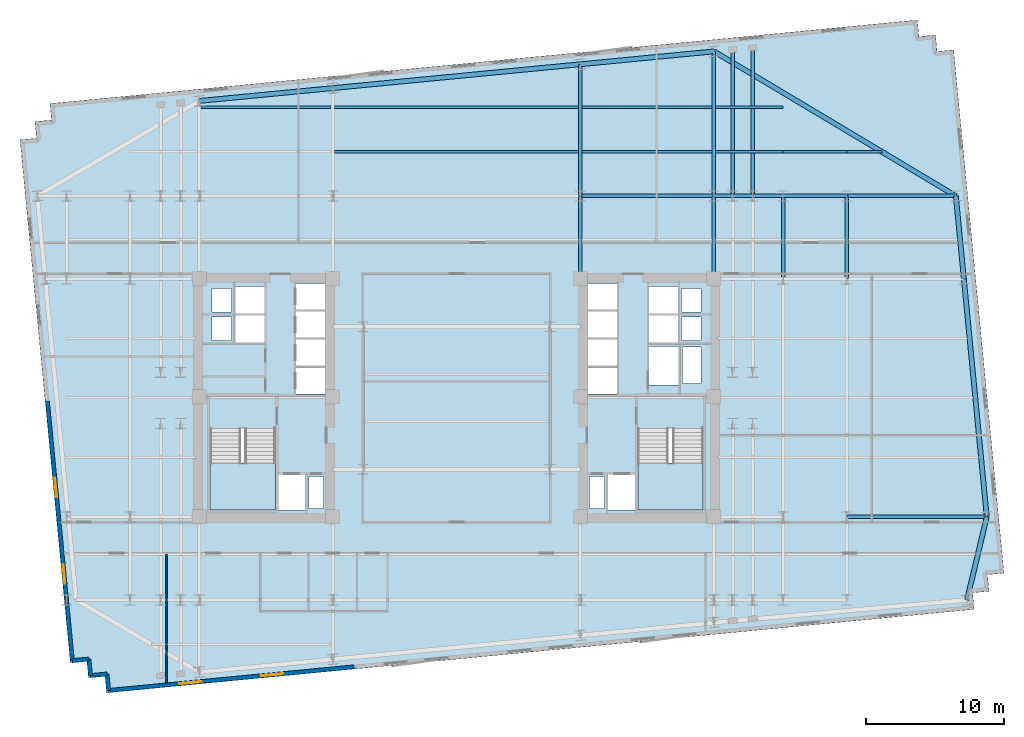
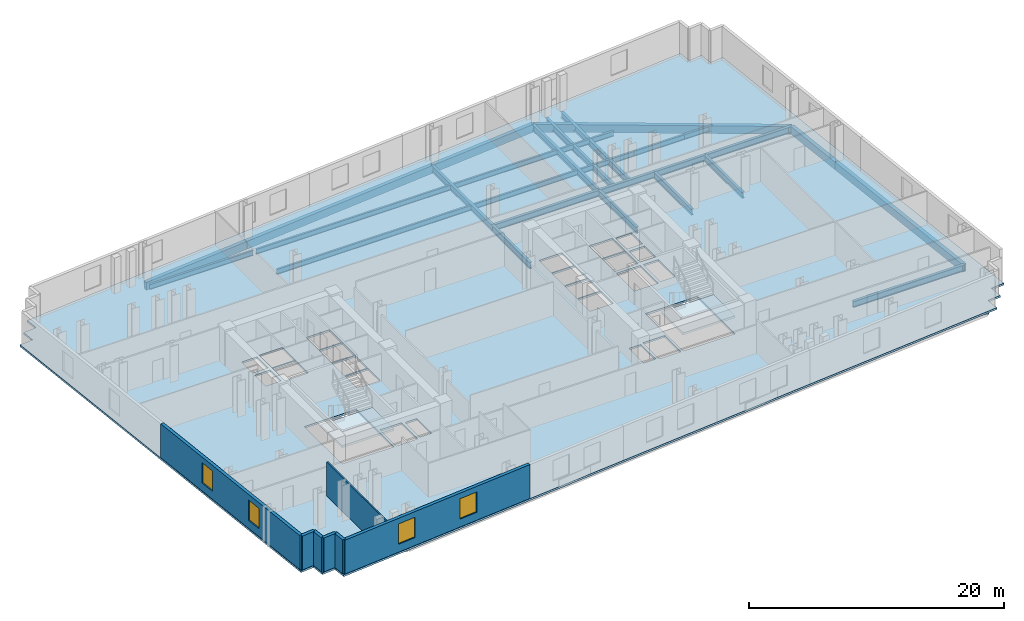
# One storey, part 3 of 10: 29 beams, 7 walls, 4 windows, 3 slabs, 4 openings, 2 elements without a shape of their own.
"""IFC4 building model written with IfcOpenShell, lengths in metres."""

from ifc_helpers import new_model, si_unit, direction, frame, frame_2d, origin, origin_2d, place, context, subcontext, project, spatial, polyline, rectangle, i_section, outline, extrude, material, layer, layer_set, material_profile, profile_set, type_object, element, fill, aggregate, save


model = new_model("IFC4")

# Units and contexts
model_context = context("Model", 3, precision=1e-05, world=origin(), true_north=direction((0.0, 1.0)))
body_context = subcontext(model_context, "Body", "Model", "MODEL_VIEW")
ifc_project = project(units=[si_unit("LENGTHUNIT", "METRE"), si_unit("AREAUNIT", "SQUARE_METRE"), si_unit("VOLUMEUNIT", "CUBIC_METRE"), si_unit("PLANEANGLEUNIT", "RADIAN"), si_unit("MASSUNIT", "GRAM", prefix="KILO")], contexts=[model_context])

# Site, building, storey
site_placement = place(None, origin())
site = spatial("IfcSite", under=ifc_project, at=site_placement, CompositionType="ELEMENT")
building_placement = place(site_placement, origin())
building = spatial("IfcBuilding", under=site, at=building_placement, Name="Velakula Bourse", CompositionType="ELEMENT")
storey_placement = place(building_placement, frame((0.0, 0.0, 77.64990234375)))
storey = spatial("IfcBuildingStorey", under=building, at=storey_placement, Name="L20", CompositionType="ELEMENT", Elevation=77.64990234375)

# Beams
ifc_material_1 = material(Name="Steel IS 2062 Grade 350 (E350)", Category="steel")
ifc_material_profile_1 = material_profile(ifc_material_1, i_section(OverallWidth=0.25, OverallDepth=0.60009765625, WebThickness=0.01171875, FlangeThickness=0.023681640625, at=origin_2d()), Name="Steel IS 2062 Grade 350 (E350)")
ifc_profile_set_1 = profile_set([ifc_material_profile_1], Name="Steel IS 2062 Grade 350 (E350)")
beam_type_1 = type_object("IfcBeamType", Name="BM-GRD-600H", PredefinedType="BEAM", material=ifc_profile_set_1)
for number, where, z_axis, x_axis, name in (
    (1, (8.949951171875, 8.60009765625, -0.47998046875), (0.0, 1.0, 0.0), (-1.0, 0.0, 0.0), "L20 Fulcrum Grid Girder FLC-ECN"),
    (2, (18.60009765625, 8.60009765625, -0.47998046875), (0.0, 1.0, 0.0), (-1.0, 0.0, 0.0), "L20 Fulcrum Grid Girder FLC-EN"),
):
    element("IfcBeam", number, at=place(storey_placement, frame(where, z_axis=z_axis, x_axis=x_axis)), inside=storey, type_object=beam_type_1, Name=name, PredefinedType="BEAM", context=body_context, shape_type="SweptSolid", body=[
        extrude(i_section(OverallWidth=0.25, OverallDepth=0.60009765625, WebThickness=0.01171875, FlangeThickness=0.023681640625, at=origin_2d()), origin(), (0.0, 0.0, 1.0), 6.0),
    ])
beam_1_placement = place(storey_placement, frame((8.949951171875, 14.60009765625, -0.47998046875), z_axis=(1.0, 0.0, 0.0), x_axis=(0.0, 1.0, 0.0)))
element("IfcBeam", 3, at=beam_1_placement, inside=storey, type_object=beam_type_1, Name="L20 Fulcrum Grid Girder FLC-N3", PredefinedType="BEAM", context=body_context, shape_type="SweptSolid", body=[
    extrude(i_section(OverallWidth=0.25, OverallDepth=0.60009765625, WebThickness=0.01171875, FlangeThickness=0.023681640625, at=origin_2d()), origin(), (0.0, 0.0, 1.0), 9.650146484375),
])
beam_2_placement = place(storey_placement, frame((18.60009765625, 14.60009765625, -0.47998046875), z_axis=(1.0, 0.0, 0.0), x_axis=(0.0, 1.0, 0.0)))
element("IfcBeam", 4, at=beam_2_placement, inside=storey, type_object=beam_type_1, Name="L20 Fulcrum Grid Girder MWG-EN2", PredefinedType="BEAM", context=body_context, shape_type="SweptSolid", body=[
    extrude(i_section(OverallWidth=0.25, OverallDepth=0.60009765625, WebThickness=0.01171875, FlangeThickness=0.023681640625, at=origin_2d()), origin(), (0.0, 0.0, 1.0), 5.0),
])
beam_3_placement = place(storey_placement, frame((23.60009765625, 8.60009765625, -0.47998046875), z_axis=(0.0, 1.0, 0.0), x_axis=(-1.0, 0.0, 0.0)))
element("IfcBeam", 5, at=beam_3_placement, inside=storey, type_object=beam_type_1, Name="L20 Fulcrum Grid Girder MWG-ENS3", PredefinedType="BEAM", context=body_context, shape_type="SweptSolid", body=[
    extrude(i_section(OverallWidth=0.25, OverallDepth=0.60009765625, WebThickness=0.01171875, FlangeThickness=0.023681640625, at=origin_2d()), origin(), (0.0, 0.0, 1.0), 6.0),
])
beam_4_placement = place(storey_placement, frame((23.60009765625, 14.60009765625, -0.47998046875), z_axis=(1.0, 0.0, 0.0), x_axis=(0.0, 1.0, 0.0)))
element("IfcBeam", 6, at=beam_4_placement, inside=storey, type_object=beam_type_1, Name="L20 Fulcrum Grid Girder WNG-EN2", PredefinedType="BEAM", context=body_context, shape_type="SweptSolid", body=[
    extrude(i_section(OverallWidth=0.25, OverallDepth=0.60009765625, WebThickness=0.01171875, FlangeThickness=0.023681640625, at=origin_2d()), origin(), (0.0, 0.0, 1.0), 4.599853515625),
])
beam_5_placement = place(storey_placement, frame((28.199951171875, 8.60009765625, -0.47998046875), z_axis=(0.0, 1.0, 0.0), x_axis=(-1.0, 0.0, 0.0)))
element("IfcBeam", 7, at=beam_5_placement, inside=storey, type_object=beam_type_1, Name="L20 Fulcrum Grid Girder WNG-ENS3", PredefinedType="BEAM", context=body_context, shape_type="SweptSolid", body=[
    extrude(i_section(OverallWidth=0.25, OverallDepth=0.60009765625, WebThickness=0.01171875, FlangeThickness=0.023681640625, at=origin_2d()), origin(), (0.0, 0.0, 1.0), 6.0),
])
beam_6_placement = place(storey_placement, frame((8.949951171875, 14.60009765625, -0.47998046875), z_axis=(0.0, 1.0, 0.0), x_axis=(-1.0, 0.0, 0.0)))
element("IfcBeam", 8, at=beam_6_placement, inside=storey, type_object=beam_type_1, Name="L20 Perimeter Tie Girder N3", PredefinedType="BEAM", context=body_context, shape_type="SweptSolid", body=[
    extrude(i_section(OverallWidth=0.25, OverallDepth=0.60009765625, WebThickness=0.01171875, FlangeThickness=0.023681640625, at=origin_2d()), origin(), (0.0, 0.0, 1.0), 9.521484375),
])
beam_7_placement = place(storey_placement, frame((18.60009765625, 14.60009765625, -0.47998046875), z_axis=(0.0, 1.0, 0.0), x_axis=(-1.0, 0.0, 0.0)))
element("IfcBeam", 9, at=beam_7_placement, inside=storey, type_object=beam_type_1, Name="L20 Perimeter Tie Girder N4", PredefinedType="BEAM", context=body_context, shape_type="SweptSolid", body=[
    extrude(i_section(OverallWidth=0.25, OverallDepth=0.60009765625, WebThickness=0.01171875, FlangeThickness=0.023681640625, at=origin_2d()), origin(), (0.0, 0.0, 1.0), 10.45068359375),
])
beam_8_placement = place(storey_placement, frame((28.199951171875, -8.60009765625, -0.47998046875), z_axis=(1.0, 0.0, 0.0), x_axis=(0.0, 1.0, 0.0)))
element("IfcBeam", 10, at=beam_8_placement, inside=storey, type_object=beam_type_1, Name="L20 Perimeter Tie Girder E2", PredefinedType="BEAM", context=body_context, shape_type="SweptSolid", body=[
    extrude(i_section(OverallWidth=0.25, OverallDepth=0.60009765625, WebThickness=0.01171875, FlangeThickness=0.023681640625, at=origin_2d()), origin(), (0.0, 0.0, 1.0), 10.119873046875),
])
beam_9_placement = place(storey_placement, frame((28.199951171875, 14.60009765625, -0.47998046875), z_axis=(1.0, 0.0, 0.0), x_axis=(0.0, 1.0, 0.0)))
element("IfcBeam", 11, at=beam_9_placement, inside=storey, type_object=beam_type_1, Name="L20 Perimeter Tie Girder E4", PredefinedType="BEAM", context=body_context, shape_type="SweptSolid", body=[
    extrude(i_section(OverallWidth=0.25, OverallDepth=0.60009765625, WebThickness=0.01171875, FlangeThickness=0.023681640625, at=origin_2d()), origin(), (0.0, 0.0, 1.0), 7.885986328125),
])
beam_10_placement = place(storey_placement, frame((19.949951171875, 14.60009765625, -0.47998046875), z_axis=(0.0, 1.0, 0.0), x_axis=(-1.0, 0.0, 0.0)))
element("IfcBeam", 12, at=beam_10_placement, inside=storey, type_object=beam_type_1, Name="L20 Perimeter Tie Girder P07", PredefinedType="BEAM", context=body_context, shape_type="SweptSolid", body=[
    extrude(i_section(OverallWidth=0.25, OverallDepth=0.60009765625, WebThickness=0.01171875, FlangeThickness=0.023681640625, at=origin_2d()), origin(), (0.0, 0.0, 1.0), 10.580810546875),
])
beam_11_placement = place(storey_placement, frame((21.39990234375, 14.60009765625, -0.47998046875), z_axis=(0.0, 1.0, 0.0), x_axis=(-1.0, 0.0, 0.0)))
element("IfcBeam", 13, at=beam_11_placement, inside=storey, type_object=beam_type_1, Name="L20 Perimeter Tie Girder P08", PredefinedType="BEAM", context=body_context, shape_type="SweptSolid", body=[
    extrude(i_section(OverallWidth=0.25, OverallDepth=0.60009765625, WebThickness=0.01171875, FlangeThickness=0.023681640625, at=origin_2d()), origin(), (0.0, 0.0, 1.0), 10.720458984375),
])
ifc_material_profile_2 = material_profile(ifc_material_1, i_section(OverallWidth=0.179931640625, OverallDepth=0.5, WebThickness=0.01025390625, FlangeThickness=0.01708984375, at=origin_2d()), Name="Steel IS 2062 Grade 350 (E350)")
ifc_profile_set_2 = profile_set([ifc_material_profile_2], Name="Steel IS 2062 Grade 350 (E350)")
beam_type_2 = type_object("IfcBeamType", Name="JST-TWR-500", PredefinedType="JOIST", material=ifc_profile_set_2)
beam_12_placement = place(storey_placement, frame((-8.824951171875, 17.800048828125, -0.429931640625), z_axis=(1.0, 0.0, 0.0), x_axis=(0.0, 1.0, 0.0)))
element("IfcBeam", 14, at=beam_12_placement, inside=storey, type_object=beam_type_2, Name="L20 Trading Floor Composite Joist 22", PredefinedType="JOIST", context=body_context, shape_type="SweptSolid", body=[
    extrude(i_section(OverallWidth=0.179931640625, OverallDepth=0.5, WebThickness=0.01025390625, FlangeThickness=0.01708984375, at=origin_2d()), origin(), (0.0, 0.0, 1.0), 17.64990234375),
])
beam_13_placement = place(storey_placement, frame((9.074951171875, 17.800048828125, -0.429931640625), z_axis=(1.0, 0.0, 0.0), x_axis=(0.0, 1.0, 0.0)))
element("IfcBeam", 15, at=beam_13_placement, inside=storey, type_object=beam_type_2, Name="L20 Trading Floor Composite Joist 23", PredefinedType="JOIST", context=body_context, shape_type="SweptSolid", body=[
    extrude(i_section(OverallWidth=0.179931640625, OverallDepth=0.5, WebThickness=0.01025390625, FlangeThickness=0.01708984375, at=origin_2d()), origin(), (0.0, 0.0, 1.0), 9.400146484375),
])
beam_14_placement = place(storey_placement, frame((18.72509765625, 17.800048828125, -0.429931640625), z_axis=(1.0, 0.0, 0.0), x_axis=(0.0, 1.0, 0.0)))
element("IfcBeam", 16, at=beam_14_placement, inside=storey, type_object=beam_type_2, Name="L20 Trading Floor Composite Joist 24", PredefinedType="JOIST", context=body_context, shape_type="SweptSolid", body=[
    extrude(i_section(OverallWidth=0.179931640625, OverallDepth=0.5, WebThickness=0.01025390625, FlangeThickness=0.01708984375, at=origin_2d()), origin(), (0.0, 0.0, 1.0), 4.875),
])
beam_15_placement = place(storey_placement, frame((23.60009765625, 17.800048828125, -0.429931640625), z_axis=(1.0, 0.0, 0.0), x_axis=(0.0, 1.0, 0.0)))
element("IfcBeam", 17, at=beam_15_placement, inside=storey, type_object=beam_type_2, Name="L20 Trading Floor Composite Joist 25", PredefinedType="JOIST", context=body_context, shape_type="SweptSolid", body=[
    extrude(i_section(OverallWidth=0.179931640625, OverallDepth=0.5, WebThickness=0.01025390625, FlangeThickness=0.01708984375, at=origin_2d()), origin(), (0.0, 0.0, 1.0), 4.599853515625),
])
beam_16_placement = place(storey_placement, frame((28.199951171875, 17.800048828125, -0.429931640625), z_axis=(1.0, 0.0, 0.0), x_axis=(0.0, 1.0, 0.0)))
element("IfcBeam", 18, at=beam_16_placement, inside=storey, type_object=beam_type_2, Name="L20 Trading Floor Composite Joist 26", PredefinedType="JOIST", context=body_context, shape_type="SweptSolid", body=[
    extrude(i_section(OverallWidth=0.179931640625, OverallDepth=0.5, WebThickness=0.01025390625, FlangeThickness=0.01708984375, at=origin_2d()), origin(), (0.0, 0.0, 1.0), 2.53173828125),
])
beam_17_placement = place(storey_placement, frame((-18.47509765625, 21.0, -0.429931640625), z_axis=(1.0, 0.0, 0.0), x_axis=(0.0, 1.0, 0.0)))
element("IfcBeam", 19, at=beam_17_placement, inside=storey, type_object=beam_type_2, Name="L20 Trading Floor Composite Joist 27", PredefinedType="JOIST", context=body_context, shape_type="SweptSolid", body=[
    extrude(i_section(OverallWidth=0.179931640625, OverallDepth=0.5, WebThickness=0.01025390625, FlangeThickness=0.01708984375, at=origin_2d()), origin(), (0.0, 0.0, 1.0), 9.400146484375),
])
beam_18_placement = place(storey_placement, frame((-8.824951171875, 21.0, -0.429931640625), z_axis=(1.0, 0.0, 0.0), x_axis=(0.0, 1.0, 0.0)))
element("IfcBeam", 20, at=beam_18_placement, inside=storey, type_object=beam_type_2, Name="L20 Trading Floor Composite Joist 28", PredefinedType="JOIST", context=body_context, shape_type="SweptSolid", body=[
    extrude(i_section(OverallWidth=0.179931640625, OverallDepth=0.5, WebThickness=0.01025390625, FlangeThickness=0.01708984375, at=origin_2d()), origin(), (0.0, 0.0, 1.0), 17.64990234375),
])
beam_19_placement = place(storey_placement, frame((9.074951171875, 21.0, -0.429931640625), z_axis=(1.0, 0.0, 0.0), x_axis=(0.0, 1.0, 0.0)))
element("IfcBeam", 21, at=beam_19_placement, inside=storey, type_object=beam_type_2, Name="L20 Trading Floor Composite Joist 29", PredefinedType="JOIST", context=body_context, shape_type="SweptSolid", body=[
    extrude(i_section(OverallWidth=0.179931640625, OverallDepth=0.5, WebThickness=0.01025390625, FlangeThickness=0.01708984375, at=origin_2d()), origin(), (0.0, 0.0, 1.0), 9.400146484375),
])
beam_20_placement = place(storey_placement, frame((18.72509765625, 21.0, -0.429931640625), z_axis=(1.0, 0.0, 0.0), x_axis=(0.0, 1.0, 0.0)))
element("IfcBeam", 22, at=beam_20_placement, inside=storey, type_object=beam_type_2, Name="L20 Trading Floor Composite Joist 30", PredefinedType="JOIST", context=body_context, shape_type="SweptSolid", body=[
    extrude(i_section(OverallWidth=0.179931640625, OverallDepth=0.5, WebThickness=0.01025390625, FlangeThickness=0.01708984375, at=origin_2d()), origin(), (0.0, 0.0, 1.0), 4.875),
])
ifc_material_2 = material(Name="Precast concrete M45 (fck 45 MPa)", Category="concrete")
ifc_material_profile_3 = material_profile(ifc_material_2, rectangle(XDim=0.35009765625, YDim=0.75, at=origin_2d()), Name="Precast concrete M45 (fck 45 MPa)")
ifc_profile_set_3 = profile_set([ifc_material_profile_3], Name="Precast concrete M45 (fck 45 MPa)")
beam_type_3 = type_object("IfcBeamType", Name="SPN-BRICK-750", PredefinedType="SPANDREL", material=ifc_profile_set_3)
beam_21_placement = place(storey_placement, frame((-18.60009765625, 21.468994140625, -0.554931640625), z_axis=(0.99539623971, 0.095845323155, 0.0), x_axis=(-0.095845323155, 0.99539623971, 0.0)))
element("IfcBeam", 23, at=beam_21_placement, inside=storey, type_object=beam_type_3, Name="L20 Brick-Faced Precast Spandrel N1-N2", PredefinedType="SPANDREL", context=body_context, shape_type="SweptSolid", body=[
    extrude(rectangle(XDim=0.35009765625, YDim=0.75, at=origin_2d()), origin(), (0.0, 0.0, 1.0), 9.69482421875),
])
beam_22_placement = place(storey_placement, frame((-8.949951171875, 22.398193359375, -0.554931640625), z_axis=(0.995397131467, 0.095836061418, 0.0), x_axis=(-0.095836061418, 0.995397131467, 0.0)))
element("IfcBeam", 24, at=beam_22_placement, inside=storey, type_object=beam_type_3, Name="L20 Brick-Faced Precast Spandrel N2-N3", PredefinedType="SPANDREL", context=body_context, shape_type="SweptSolid", body=[
    extrude(rectangle(XDim=0.35009765625, YDim=0.75, at=origin_2d()), origin(), (0.0, 0.0, 1.0), 17.982666015625),
])
beam_23_placement = place(storey_placement, frame((8.949951171875, 24.12158203125, -0.554931640625), z_axis=(0.99539623971, 0.095845323155, 0.0), x_axis=(-0.095845323155, 0.99539623971, 0.0)))
element("IfcBeam", 25, at=beam_23_placement, inside=storey, type_object=beam_type_3, Name="L20 Brick-Faced Precast Spandrel N3-N4", PredefinedType="SPANDREL", context=body_context, shape_type="SweptSolid", body=[
    extrude(rectangle(XDim=0.35009765625, YDim=0.75, at=origin_2d()), origin(), (0.0, 0.0, 1.0), 9.69482421875),
])
beam_24_placement = place(storey_placement, frame((36.88818359375, -14.60009765625, -0.554931640625), z_axis=(0.232091371601, 0.972693988482, 0.0), x_axis=(-0.972693988482, 0.232091371601, 0.0)))
element("IfcBeam", 26, at=beam_24_placement, inside=storey, type_object=beam_type_3, Name="L20 Brick-Faced Precast Spandrel E1-E2", PredefinedType="SPANDREL", context=body_context, shape_type="SweptSolid", body=[
    extrude(rectangle(XDim=0.35009765625, YDim=0.75, at=origin_2d()), origin(), (0.0, 0.0, 1.0), 6.16845703125),
])
beam_25_placement = place(storey_placement, frame((38.31982421875, -8.60009765625, -0.554931640625), z_axis=(-0.095849167925, 0.995395869495, 0.0), x_axis=(-0.995395869495, -0.095849167925, 0.0)))
element("IfcBeam", 27, at=beam_25_placement, inside=storey, type_object=beam_type_3, Name="L20 Brick-Faced Precast Spandrel E2-E3", PredefinedType="SPANDREL", context=body_context, shape_type="SweptSolid", body=[
    extrude(rectangle(XDim=0.35009765625, YDim=0.75, at=origin_2d()), origin(), (0.0, 0.0, 1.0), 17.27978515625),
])
beam_26_placement = place(storey_placement, frame((36.66357421875, 8.60009765625, -0.554931640625), z_axis=(-0.095829714309, 0.995397742541, 0.0), x_axis=(-0.995397742541, -0.095829714309, 0.0)))
element("IfcBeam", 28, at=beam_26_placement, inside=storey, type_object=beam_type_3, Name="L20 Brick-Faced Precast Spandrel E3-E4", PredefinedType="SPANDREL", context=body_context, shape_type="SweptSolid", body=[
    extrude(rectangle(XDim=0.35009765625, YDim=0.75, at=origin_2d()), origin(), (0.0, 0.0, 1.0), 6.02783203125),
])
beam_27_placement = place(storey_placement, frame((36.0859375, 14.60009765625, -0.554931640625), z_axis=(-0.858375715449, 0.513021569846, 0.0), x_axis=(-0.513021569846, -0.858375715449, 0.0)))
element("IfcBeam", 29, at=beam_27_placement, inside=storey, type_object=beam_type_3, Name="L20 Brick-Faced Precast Spandrel E4-N4", PredefinedType="SPANDREL", context=body_context, shape_type="SweptSolid", body=[
    extrude(rectangle(XDim=0.35009765625, YDim=0.75, at=origin_2d()), origin(), (0.0, 0.0, 1.0), 20.370849609375),
])

# Stair, slab
ifc_material_3 = material(Name="Concrete M45 (fck 45 MPa)", Category="concrete")
stair_type = type_object("IfcStairType", Name="STR-DOG-390", PredefinedType="HALF_TURN_STAIR", material=ifc_material_3)
stair_1_placement = place(storey_placement, origin())
stair_1 = element("IfcStair", 30, at=stair_1_placement, inside=storey, type_object=stair_type, Name="L20 West Core Exit Stair ST-W1", PredefinedType="HALF_TURN_STAIR")
ifc_layer_1 = layer(ifc_material_3, 0.199951171875, Name="Concrete M45 (fck 45 MPa)", Category="concrete")
ifc_layer_set_1 = layer_set([ifc_layer_1], Name="Concrete M45 (fck 45 MPa)")
slab_type_1 = type_object("IfcSlabType", Name="SLB-STAIR-LND-200", PredefinedType="LANDING", material=ifc_layer_set_1)
slab_1_placement = place(storey_placement, frame((0.0, 0.0, 1.525146484375)))
slab_1 = element("IfcSlab", 31, at=slab_1_placement, type_object=slab_type_1, Name="ST-W1 landing 1", PredefinedType="LANDING", context=body_context, shape_type="SweptSolid", body=[
    extrude(outline(polyline([(-17.820068359375, -4.719970703125), (-17.820068359375, -8.10009765625), (-13.10009765625, -8.10009765625), (-13.10009765625, -4.719970703125), (-17.820068359375, -4.719970703125)])), origin(), (0.0, 0.0, 1.0), 0.199951171875),
])
aggregate(stair_1, [slab_1])

stair_2_placement = place(storey_placement, origin())
stair_2 = element("IfcStair", 32, at=stair_2_placement, inside=storey, type_object=stair_type, Name="L20 East Core Exit Stair ST-E1", PredefinedType="HALF_TURN_STAIR")
slab_2_placement = place(storey_placement, frame((0.0, 0.0, 1.525146484375)))
slab_2 = element("IfcSlab", 33, at=slab_2_placement, type_object=slab_type_1, Name="ST-E1 landing 1", PredefinedType="LANDING", context=body_context, shape_type="SweptSolid", body=[
    extrude(outline(polyline([(13.10009765625, -4.719970703125), (13.10009765625, -8.10009765625), (17.820068359375, -8.10009765625), (17.820068359375, -4.719970703125), (13.10009765625, -4.719970703125)])), origin(), (0.0, 0.0, 1.0), 0.199951171875),
])
aggregate(stair_2, [slab_2])

# Slab
ifc_material_4 = material(Name="Concrete M50 (fck 50 MPa)", Category="concrete")
ifc_layer_2 = layer(ifc_material_4, 0.179931640625, Name="Concrete M50 (fck 50 MPa)", Category="concrete")
ifc_layer_set_2 = layer_set([ifc_layer_2], Name="Concrete M50 (fck 50 MPa)")
slab_type_2 = type_object("IfcSlabType", Name="SLB-TWR-180", PredefinedType="FLOOR", material=ifc_layer_set_2)
slab_3_placement = place(storey_placement, frame((0.0, 0.0, -0.179931640625)))
element("IfcSlab", 34, at=slab_3_placement, inside=storey, type_object=slab_type_2, Name="L20 Suspended Structural Floor Slab", PredefinedType="FLOOR", context=body_context, shape_type="SweptSolid", body=[
    extrude(outline(polyline([(-25.303955078125, -21.320556640625), (37.406005859375, -15.2822265625), (37.291015625, -14.087890625), (38.485595703125, -13.972900390625), (38.37060546875, -12.7783203125), (39.56494140625, -12.663330078125), (35.9228515625, 25.16162109375), (34.728271484375, 25.046630859375), (34.61328125, 26.2412109375), (33.4189453125, 26.126220703125), (33.303955078125, 27.320556640625), (-29.406005859375, 21.2822265625), (-29.291015625, 20.087890625), (-30.485595703125, 19.972900390625), (-30.37060546875, 18.7783203125), (-31.56494140625, 18.663330078125), (-27.9228515625, -19.16162109375), (-26.728271484375, -19.046630859375), (-26.61328125, -20.2412109375), (-25.4189453125, -20.126220703125), (-25.303955078125, -21.320556640625)]), holes=[polyline([(-17.820068359375, -8.10009765625), (-13.10009765625, -8.10009765625), (-13.10009765625, -2.199951171875), (-17.820068359375, -2.199951171875), (-17.820068359375, -8.10009765625)]), polyline([(13.10009765625, -8.10009765625), (17.820068359375, -8.10009765625), (17.820068359375, -2.199951171875), (13.10009765625, -2.199951171875), (13.10009765625, -8.10009765625)]), polyline([(-12.89990234375, -8.10009765625), (-10.949951171875, -8.10009765625), (-10.949951171875, -5.550048828125), (-12.89990234375, -5.550048828125), (-12.89990234375, -8.10009765625)]), polyline([(10.949951171875, -8.10009765625), (12.89990234375, -8.10009765625), (12.89990234375, -5.550048828125), (10.949951171875, -5.550048828125), (10.949951171875, -8.10009765625)]), polyline([(13.89990234375, 0.919921875), (16.050048828125, 0.919921875), (16.050048828125, 3.719970703125), (13.89990234375, 3.719970703125), (13.89990234375, 0.919921875)]), polyline([(-10.679931640625, -7.97998046875), (-9.6201171875, -7.97998046875), (-9.6201171875, -5.669921875), (-10.679931640625, -5.669921875), (-10.679931640625, -7.97998046875)]), polyline([(-17.679931640625, 4.139892578125), (-16.27001953125, 4.139892578125), (-16.27001953125, 5.85009765625), (-17.679931640625, 5.85009765625), (-17.679931640625, 4.139892578125)]), polyline([(-17.679931640625, 6.2099609375), (-16.27001953125, 6.2099609375), (-16.27001953125, 7.919921875), (-17.679931640625, 7.919921875), (-17.679931640625, 6.2099609375)]), polyline([(9.6201171875, -7.97998046875), (10.679931640625, -7.97998046875), (10.679931640625, -5.669921875), (9.6201171875, -5.669921875), (9.6201171875, -7.97998046875)]), polyline([(16.27001953125, 4.139892578125), (17.679931640625, 4.139892578125), (17.679931640625, 5.85009765625), (16.27001953125, 5.85009765625), (16.27001953125, 4.139892578125)]), polyline([(16.27001953125, 6.2099609375), (17.679931640625, 6.2099609375), (17.679931640625, 7.919921875), (16.27001953125, 7.919921875), (16.27001953125, 6.2099609375)]), polyline([(16.320068359375, 1.0400390625), (17.679931640625, 1.0400390625), (17.679931640625, 3.699951171875), (16.320068359375, 3.699951171875), (16.320068359375, 1.0400390625)]), polyline([(-11.60009765625, 0.280029296875), (-9.5, 0.280029296875), (-9.5, 2.199951171875), (-11.60009765625, 2.199951171875), (-11.60009765625, 0.280029296875)]), polyline([(-11.60009765625, 2.31005859375), (-9.5, 2.31005859375), (-9.5, 4.22998046875), (-11.60009765625, 4.22998046875), (-11.60009765625, 2.31005859375)]), polyline([(-11.60009765625, 4.340087890625), (-9.5, 4.340087890625), (-9.5, 6.260009765625), (-11.60009765625, 6.260009765625), (-11.60009765625, 4.340087890625)]), polyline([(-11.60009765625, 6.3701171875), (-9.5, 6.3701171875), (-9.5, 8.2900390625), (-11.60009765625, 8.2900390625), (-11.60009765625, 6.3701171875)]), polyline([(9.5, 0.280029296875), (11.60009765625, 0.280029296875), (11.60009765625, 2.199951171875), (9.5, 2.199951171875), (9.5, 0.280029296875)]), polyline([(9.5, 2.31005859375), (11.60009765625, 2.31005859375), (11.60009765625, 4.22998046875), (9.5, 4.22998046875), (9.5, 2.31005859375)]), polyline([(9.5, 4.340087890625), (11.60009765625, 4.340087890625), (11.60009765625, 6.260009765625), (9.5, 6.260009765625), (9.5, 4.340087890625)]), polyline([(9.5, 6.3701171875), (11.60009765625, 6.3701171875), (11.60009765625, 8.2900390625), (9.5, 8.2900390625), (9.5, 6.3701171875)]), polyline([(-16.0, 4.02001953125), (-13.89990234375, 4.02001953125), (-13.89990234375, 5.969970703125), (-16.0, 5.969970703125), (-16.0, 4.02001953125)]), polyline([(-16.0, 6.090087890625), (-13.89990234375, 6.090087890625), (-13.89990234375, 8.0400390625), (-16.0, 8.0400390625), (-16.0, 6.090087890625)]), polyline([(13.89990234375, 4.02001953125), (16.0, 4.02001953125), (16.0, 5.969970703125), (13.89990234375, 5.969970703125), (13.89990234375, 4.02001953125)]), polyline([(13.89990234375, 6.090087890625), (16.0, 6.090087890625), (16.0, 8.0400390625), (13.89990234375, 8.0400390625), (13.89990234375, 6.090087890625)])]), origin(), (0.0, 0.0, 1.0), 0.179931640625),
])

# Wall, openings, windows
ifc_material_5 = material(Name="Red kilned clay facing brick masonry", Category="masonry")
ifc_layer_3 = layer(ifc_material_5, 0.280029296875, Name="Red kilned clay facing brick masonry", Category="masonry")
ifc_layer_set_3 = layer_set([ifc_layer_3], Name="Red kilned clay facing brick masonry")
wall_type_1 = type_object("IfcWallType", Name="WL-EXT-BRK-280", PredefinedType="STANDARD", material=ifc_layer_set_3)
wall_1_placement = place(storey_placement, frame((-7.402099609375, -19.43603515625, 0.0), z_axis=(0.0, 0.0, 1.0), x_axis=(-0.995395780835, -0.095850088663, 0.0)))
wall_1 = element("IfcWall", 35, at=wall_1_placement, inside=storey, type_object=wall_type_1, Name="L20 S Brick Spandrel Wall B1", PredefinedType="STANDARD", context=body_context, shape_type="SweptSolid", body=[
    extrude(rectangle(XDim=17.83984375, YDim=0.280029296875, at=frame_2d((8.919921875, 0.0))), origin(), (0.0, 0.0, 1.0), 3.25),
])
opening_1_placement = place(wall_1_placement, frame((5.146728515625, 0.0, 0.760009765625)))
opening_1 = element("IfcOpeningElement", 36, at=opening_1_placement, cuts=wall_1, Name="Opening W-02", PredefinedType="OPENING", context=body_context, shape_type="SweptSolid", body=[
    extrude(rectangle(XDim=1.60009765625, YDim=1.949951171875, at=frame_2d((0.800048828125, 0.97509765625))), frame((0.0, 0.14990234375, 0.0), z_axis=(0.0, -1.0, 0.0), x_axis=(1.0, 0.0, 0.0)), (0.0, 0.0, 1.0), 0.300048828125),
])
opening_2_placement = place(wall_1_placement, frame((11.09326171875, 0.0, 0.760009765625)))
opening_2 = element("IfcOpeningElement", 37, at=opening_2_placement, cuts=wall_1, Name="Opening W-02", PredefinedType="OPENING", context=body_context, shape_type="SweptSolid", body=[
    extrude(rectangle(XDim=1.60009765625, YDim=1.949951171875, at=frame_2d((0.800048828125, 0.97509765625))), frame((0.0, 0.14990234375, 0.0), z_axis=(0.0, -1.0, 0.0), x_axis=(1.0, 0.0, 0.0)), (0.0, 0.0, 1.0), 0.300048828125),
])
ifc_material_6 = material(Name="Double-glazed solar-control Low-E glass", Category="glass")
window_type_1 = type_object("IfcWindowType", Name="WIN-TWR-1600x2100", PartitioningType="SINGLE_PANEL", PredefinedType="WINDOW", material=ifc_material_6)
window_1_placement = place(opening_1_placement, origin())
window_1 = element("IfcWindow", 38, at=window_1_placement, inside=storey, type_object=window_type_1, Name="L20 Deep-Set Recessed Window 1", OverallHeight=1.949951171875, OverallWidth=1.60009765625, PartitioningType="SINGLE_PANEL", PredefinedType="WINDOW", context=body_context, shape_type="SweptSolid", body=[
    extrude(rectangle(XDim=1.60009765625, YDim=1.949951171875, at=frame_2d((0.800048828125, 0.97509765625))), frame((0.0, 0.030029296875, 0.0), z_axis=(0.0, -1.0, 0.0), x_axis=(1.0, 0.0, 0.0)), (0.0, 0.0, 1.0), 0.06005859375),
])
fill(opening_1, window_1)
window_2_placement = place(opening_2_placement, origin())
window_2 = element("IfcWindow", 39, at=window_2_placement, inside=storey, type_object=window_type_1, Name="L20 Deep-Set Recessed Window 2", OverallHeight=1.949951171875, OverallWidth=1.60009765625, PartitioningType="SINGLE_PANEL", PredefinedType="WINDOW", context=body_context, shape_type="SweptSolid", body=[
    extrude(rectangle(XDim=1.60009765625, YDim=1.949951171875, at=frame_2d((0.800048828125, 0.97509765625))), frame((0.0, 0.030029296875, 0.0), z_axis=(0.0, -1.0, 0.0), x_axis=(1.0, 0.0, 0.0)), (0.0, 0.0, 1.0), 0.06005859375),
])
fill(opening_2, window_2)

wall_2_placement = place(storey_placement, frame((-27.779052734375, -18.987060546875, 0.0), z_axis=(0.0, 0.0, 1.0), x_axis=(-0.095842534142, 0.995396508256, 0.0)))
wall_2 = element("IfcWall", 40, at=wall_2_placement, inside=storey, type_object=wall_type_1, Name="L20 W Brick End Wall W1", PredefinedType="STANDARD", context=body_context, shape_type="SweptSolid", body=[
    extrude(rectangle(XDim=18.83984375, YDim=0.280029296875, at=frame_2d((9.419921875, 0.0))), origin(), (0.0, 0.0, 1.0), 3.25),
])
opening_3_placement = place(wall_2_placement, frame((5.580078125, 0.0, 0.760009765625)))
opening_3 = element("IfcOpeningElement", 41, at=opening_3_placement, cuts=wall_2, Name="Opening W-03", PredefinedType="OPENING", context=body_context, shape_type="SweptSolid", body=[
    extrude(rectangle(XDim=1.39990234375, YDim=1.949951171875, at=frame_2d((0.699951171875, 0.97509765625))), frame((0.0, 0.14990234375, 0.0), z_axis=(0.0, -1.0, 0.0), x_axis=(1.0, 0.0, 0.0)), (0.0, 0.0, 1.0), 0.300048828125),
])
opening_4_placement = place(wall_2_placement, frame((11.860107421875, 0.0, 0.760009765625)))
opening_4 = element("IfcOpeningElement", 42, at=opening_4_placement, cuts=wall_2, Name="Opening W-03", PredefinedType="OPENING", context=body_context, shape_type="SweptSolid", body=[
    extrude(rectangle(XDim=1.39990234375, YDim=1.949951171875, at=frame_2d((0.699951171875, 0.97509765625))), frame((0.0, 0.14990234375, 0.0), z_axis=(0.0, -1.0, 0.0), x_axis=(1.0, 0.0, 0.0)), (0.0, 0.0, 1.0), 0.300048828125),
])
window_type_2 = type_object("IfcWindowType", Name="WIN-TWR-1400x2100", PartitioningType="SINGLE_PANEL", PredefinedType="WINDOW", material=ifc_material_6)
window_3_placement = place(opening_3_placement, origin())
window_3 = element("IfcWindow", 43, at=window_3_placement, inside=storey, type_object=window_type_2, Name="L20 Deep-Set Recessed Window 1", OverallHeight=1.949951171875, OverallWidth=1.39990234375, PartitioningType="SINGLE_PANEL", PredefinedType="WINDOW", context=body_context, shape_type="SweptSolid", body=[
    extrude(rectangle(XDim=1.39990234375, YDim=1.949951171875, at=frame_2d((0.699951171875, 0.97509765625))), frame((0.0, 0.030029296875, 0.0), z_axis=(0.0, -1.0, 0.0), x_axis=(1.0, 0.0, 0.0)), (0.0, 0.0, 1.0), 0.06005859375),
])
fill(opening_3, window_3)
window_4_placement = place(opening_4_placement, origin())
window_4 = element("IfcWindow", 44, at=window_4_placement, inside=storey, type_object=window_type_2, Name="L20 Deep-Set Recessed Window 2", OverallHeight=1.949951171875, OverallWidth=1.39990234375, PartitioningType="SINGLE_PANEL", PredefinedType="WINDOW", context=body_context, shape_type="SweptSolid", body=[
    extrude(rectangle(XDim=1.39990234375, YDim=1.949951171875, at=frame_2d((0.699951171875, 0.97509765625))), frame((0.0, 0.030029296875, 0.0), z_axis=(0.0, -1.0, 0.0), x_axis=(1.0, 0.0, 0.0)), (0.0, 0.0, 1.0), 0.06005859375),
])
fill(opening_4, window_4)

# Walls
for number, where, z_axis, x_axis, name in (
    (45, (-27.779052734375, -18.987060546875, 0.0), (0.0, 0.0, 1.0), (0.995398960025, 0.095817067274, 0.0), "L20 Serrated Corner Brick Wall SW-1"),
    (46, (-26.58447265625, -18.8720703125, 0.0), (0.0, 0.0, 1.0), (0.095817067274, -0.995398960025, 0.0), "L20 Serrated Corner Brick Wall SW-2"),
    (47, (-26.469482421875, -20.066650390625, 0.0), (0.0, 0.0, 1.0), (0.995398960025, 0.095817067274, 0.0), "L20 Serrated Corner Brick Wall SW-3"),
):
    element("IfcWall", number, at=place(storey_placement, frame(where, z_axis=z_axis, x_axis=x_axis)), inside=storey, type_object=wall_type_1, Name=name, PredefinedType="STANDARD", context=body_context, shape_type="SweptSolid", body=[
        extrude(rectangle(XDim=1.2001953125, YDim=0.280029296875, at=frame_2d((0.60009765625, 0.0))), origin(), (0.0, 0.0, 1.0), 3.25),
    ])
wall_3_placement = place(storey_placement, frame((-25.27490234375, -19.95166015625, 0.0), z_axis=(0.0, 0.0, 1.0), x_axis=(0.095836473879, -0.995397091755, 0.0)))
element("IfcWall", 48, at=wall_3_placement, inside=storey, type_object=wall_type_1, Name="L20 Serrated Corner Brick Wall SW-4", PredefinedType="STANDARD", context=body_context, shape_type="SweptSolid", body=[
    extrude(rectangle(XDim=1.199951171875, YDim=0.280029296875, at=frame_2d((0.60009765625, 0.0))), origin(), (0.0, 0.0, 1.0), 3.25),
])
ifc_material_7 = material(Name="Fire-rated double-layer gypsum drywall partition", Category="gypsum")
ifc_layer_4 = layer(ifc_material_7, 0.1201171875, Name="Fire-rated double-layer gypsum drywall partition", Category="gypsum")
ifc_layer_set_4 = layer_set([ifc_layer_4], Name="Fire-rated double-layer gypsum drywall partition")
wall_type_2 = type_object("IfcWallType", Name="WL-PART-120", PredefinedType="STANDARD", material=ifc_layer_set_4)
wall_4_placement = place(storey_placement, frame((-20.987060546875, -20.623779296875, 0.0), z_axis=(0.0, 0.0, 1.0), x_axis=(0.0, 1.0, 0.0)))
element("IfcWall", 49, at=wall_4_placement, inside=storey, type_object=wall_type_2, Name="L20 Interior Partition WL-INT-L20-SL-D5", PredefinedType="STANDARD", context=body_context, shape_type="SweptSolid", body=[
    extrude(rectangle(XDim=9.333740234375, YDim=0.1201171875, at=frame_2d((4.6669921875, 0.0))), origin(), (0.0, 0.0, 1.0), 3.25),
])

save(model, "model.ifc")
